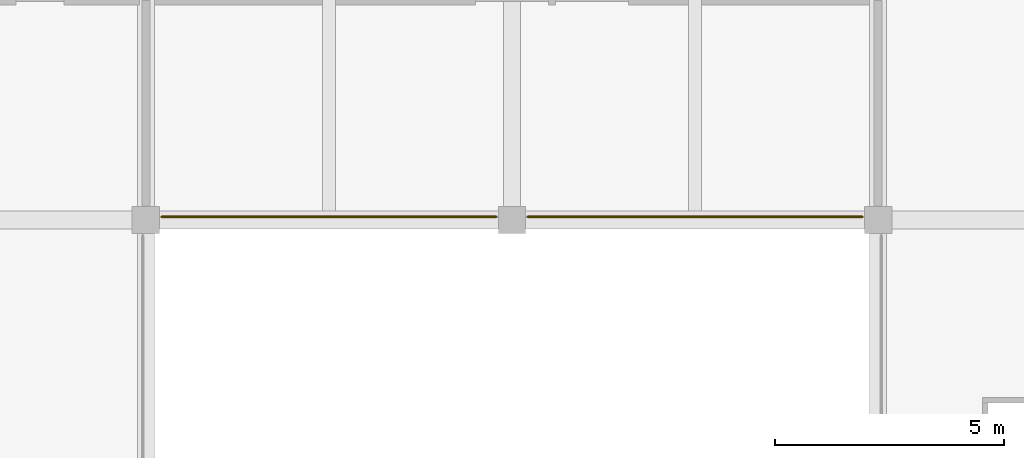
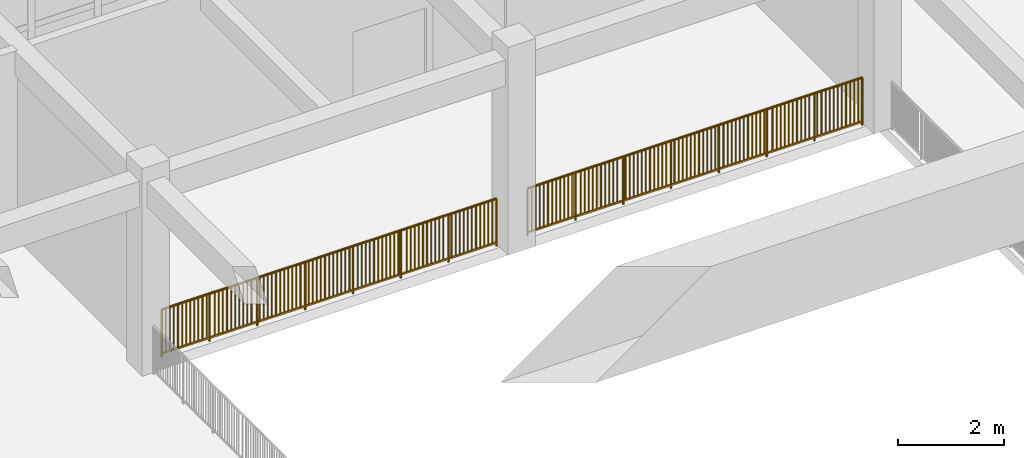
# One storey, part 101 of 101: 2 railings.
"""IFC4 building model written with IfcOpenShell, lengths in metres."""

from ifc_helpers import new_model, si_unit, direction, frame, origin, origin_2d, place, context, subcontext, project, spatial, rectangle, circle, extrude, material, type_object, element, save


model = new_model("IFC4")

# Units and contexts
model_context = context("Model", 3, precision=1e-05, world=origin(), true_north=direction((0.0, 1.0)))
body_context = subcontext(model_context, "Body", "Model", "MODEL_VIEW")
ifc_project = project(units=[si_unit("LENGTHUNIT", "METRE"), si_unit("AREAUNIT", "SQUARE_METRE"), si_unit("VOLUMEUNIT", "CUBIC_METRE"), si_unit("PLANEANGLEUNIT", "RADIAN"), si_unit("MASSUNIT", "GRAM", prefix="KILO")], contexts=[model_context])

# Site, building, storey
site_placement = place(None, origin())
site = spatial("IfcSite", under=ifc_project, at=site_placement, CompositionType="ELEMENT")
building_placement = place(site_placement, origin())
building = spatial("IfcBuilding", under=site, at=building_placement, Name="Zantavel Square City Hall", CompositionType="ELEMENT")
storey_placement = place(building_placement, frame((0.0, 0.0, 5.39990234375)))
storey = spatial("IfcBuildingStorey", under=building, at=storey_placement, Name="L02", CompositionType="ELEMENT", Elevation=5.39990234375)

# Railings
ifc_material = material(Name="Steel ASTM A500 Grade B", Category="steel")
railing_type = type_object("IfcRailingType", Name="Atrium & Gallery Steel Guard Railing 1100mm", PredefinedType="GUARDRAIL", material=ifc_material)
railing_1_placement = place(storey_placement, frame((135.659912109375, 30.469970703125, 0.0)))
element("IfcRailing", 1, at=railing_1_placement, inside=storey, type_object=railing_type, Name="L02 Atrium Void Guard 022", PredefinedType="GUARDRAIL", context=body_context, shape_type="SweptSolid", body=[
    extrude(circle(Radius=0.02392578125, at=origin_2d()), frame((0.0, 0.0, 1.09619140625), z_axis=(-1.0, 0.0, 0.0), x_axis=(0.0, -1.0, 0.0)), (0.0, 0.0, 1.0), 7.31982421875),
    extrude(rectangle(XDim=0.031982421875, YDim=0.031982421875, at=origin_2d()), frame((0.0, 0.0, 0.080078125), z_axis=(-1.0, 0.0, 0.0), x_axis=(0.0, -1.0, 0.0)), (0.0, 0.0, 1.0), 7.31982421875),
    extrude(rectangle(XDim=0.02197265625, YDim=0.02197265625, at=origin_2d()), frame((-0.08935546875, 0.0, 0.080078125)), (0.0, 0.0, 1.0), 0.991943359375),
    extrude(rectangle(XDim=0.02197265625, YDim=0.02197265625, at=origin_2d()), frame((-0.178466796875, 0.0, 0.080078125)), (0.0, 0.0, 1.0), 0.991943359375),
    extrude(rectangle(XDim=0.02197265625, YDim=0.02197265625, at=origin_2d()), frame((-0.267822265625, 0.0, 0.080078125)), (0.0, 0.0, 1.0), 0.991943359375),
    extrude(rectangle(XDim=0.02197265625, YDim=0.02197265625, at=origin_2d()), frame((-0.357177734375, 0.0, 0.080078125)), (0.0, 0.0, 1.0), 0.991943359375),
    extrude(rectangle(XDim=0.02197265625, YDim=0.02197265625, at=origin_2d()), frame((-0.4462890625, 0.0, 0.080078125)), (0.0, 0.0, 1.0), 0.991943359375),
    extrude(rectangle(XDim=0.02197265625, YDim=0.02197265625, at=origin_2d()), frame((-0.53564453125, 0.0, 0.080078125)), (0.0, 0.0, 1.0), 0.991943359375),
    extrude(rectangle(XDim=0.02197265625, YDim=0.02197265625, at=origin_2d()), frame((-0.624755859375, 0.0, 0.080078125)), (0.0, 0.0, 1.0), 0.991943359375),
    extrude(rectangle(XDim=0.02197265625, YDim=0.02197265625, at=origin_2d()), frame((-0.714111328125, 0.0, 0.080078125)), (0.0, 0.0, 1.0), 0.991943359375),
    extrude(rectangle(XDim=0.02197265625, YDim=0.02197265625, at=origin_2d()), frame((-0.803466796875, 0.0, 0.080078125)), (0.0, 0.0, 1.0), 0.991943359375),
    extrude(rectangle(XDim=0.02197265625, YDim=0.02197265625, at=origin_2d()), frame((-0.892578125, 0.0, 0.080078125)), (0.0, 0.0, 1.0), 0.991943359375),
    extrude(rectangle(XDim=0.02197265625, YDim=0.02197265625, at=origin_2d()), frame((-0.98193359375, 0.0, 0.080078125)), (0.0, 0.0, 1.0), 0.991943359375),
    extrude(rectangle(XDim=0.02197265625, YDim=0.02197265625, at=origin_2d()), frame((-1.160400390625, 0.0, 0.080078125)), (0.0, 0.0, 1.0), 0.991943359375),
    extrude(rectangle(XDim=0.02197265625, YDim=0.02197265625, at=origin_2d()), frame((-1.249755859375, 0.0, 0.080078125)), (0.0, 0.0, 1.0), 0.991943359375),
    extrude(rectangle(XDim=0.02197265625, YDim=0.02197265625, at=origin_2d()), frame((-1.339111328125, 0.0, 0.080078125)), (0.0, 0.0, 1.0), 0.991943359375),
    extrude(rectangle(XDim=0.02197265625, YDim=0.02197265625, at=origin_2d()), frame((-1.42822265625, 0.0, 0.080078125)), (0.0, 0.0, 1.0), 0.991943359375),
    extrude(rectangle(XDim=0.02197265625, YDim=0.02197265625, at=origin_2d()), frame((-1.517578125, 0.0, 0.080078125)), (0.0, 0.0, 1.0), 0.991943359375),
    extrude(rectangle(XDim=0.02197265625, YDim=0.02197265625, at=origin_2d()), frame((-1.606689453125, 0.0, 0.080078125)), (0.0, 0.0, 1.0), 0.991943359375),
    extrude(rectangle(XDim=0.02197265625, YDim=0.02197265625, at=origin_2d()), frame((-1.696044921875, 0.0, 0.080078125)), (0.0, 0.0, 1.0), 0.991943359375),
    extrude(rectangle(XDim=0.02197265625, YDim=0.02197265625, at=origin_2d()), frame((-1.785400390625, 0.0, 0.080078125)), (0.0, 0.0, 1.0), 0.991943359375),
    extrude(rectangle(XDim=0.02197265625, YDim=0.02197265625, at=origin_2d()), frame((-1.87451171875, 0.0, 0.080078125)), (0.0, 0.0, 1.0), 0.991943359375),
    extrude(rectangle(XDim=0.02197265625, YDim=0.02197265625, at=origin_2d()), frame((-1.9638671875, 0.0, 0.080078125)), (0.0, 0.0, 1.0), 0.991943359375),
    extrude(rectangle(XDim=0.02197265625, YDim=0.02197265625, at=origin_2d()), frame((-2.142333984375, 0.0, 0.080078125)), (0.0, 0.0, 1.0), 0.991943359375),
    extrude(rectangle(XDim=0.02197265625, YDim=0.02197265625, at=origin_2d()), frame((-2.231689453125, 0.0, 0.080078125)), (0.0, 0.0, 1.0), 0.991943359375),
    extrude(rectangle(XDim=0.02197265625, YDim=0.02197265625, at=origin_2d()), frame((-2.32080078125, 0.0, 0.080078125)), (0.0, 0.0, 1.0), 0.991943359375),
    extrude(rectangle(XDim=0.02197265625, YDim=0.02197265625, at=origin_2d()), frame((-2.41015625, 0.0, 0.080078125)), (0.0, 0.0, 1.0), 0.991943359375),
    extrude(rectangle(XDim=0.02197265625, YDim=0.02197265625, at=origin_2d()), frame((-2.49951171875, 0.0, 0.080078125)), (0.0, 0.0, 1.0), 0.991943359375),
    extrude(rectangle(XDim=0.02197265625, YDim=0.02197265625, at=origin_2d()), frame((-2.588623046875, 0.0, 0.080078125)), (0.0, 0.0, 1.0), 0.991943359375),
    extrude(rectangle(XDim=0.02197265625, YDim=0.02197265625, at=origin_2d()), frame((-2.677978515625, 0.0, 0.080078125)), (0.0, 0.0, 1.0), 0.991943359375),
    extrude(rectangle(XDim=0.02197265625, YDim=0.02197265625, at=origin_2d()), frame((-2.767333984375, 0.0, 0.080078125)), (0.0, 0.0, 1.0), 0.991943359375),
    extrude(rectangle(XDim=0.02197265625, YDim=0.02197265625, at=origin_2d()), frame((-2.8564453125, 0.0, 0.080078125)), (0.0, 0.0, 1.0), 0.991943359375),
    extrude(rectangle(XDim=0.02197265625, YDim=0.02197265625, at=origin_2d()), frame((-2.94580078125, 0.0, 0.080078125)), (0.0, 0.0, 1.0), 0.991943359375),
    extrude(rectangle(XDim=0.02197265625, YDim=0.02197265625, at=origin_2d()), frame((-3.03515625, 0.0, 0.080078125)), (0.0, 0.0, 1.0), 0.991943359375),
    extrude(rectangle(XDim=0.02197265625, YDim=0.02197265625, at=origin_2d()), frame((-3.213623046875, 0.0, 0.080078125)), (0.0, 0.0, 1.0), 0.991943359375),
    extrude(rectangle(XDim=0.02197265625, YDim=0.02197265625, at=origin_2d()), frame((-3.302734375, 0.0, 0.080078125)), (0.0, 0.0, 1.0), 0.991943359375),
    extrude(rectangle(XDim=0.02197265625, YDim=0.02197265625, at=origin_2d()), frame((-3.39208984375, 0.0, 0.080078125)), (0.0, 0.0, 1.0), 0.991943359375),
    extrude(rectangle(XDim=0.02197265625, YDim=0.02197265625, at=origin_2d()), frame((-3.4814453125, 0.0, 0.080078125)), (0.0, 0.0, 1.0), 0.991943359375),
    extrude(rectangle(XDim=0.02197265625, YDim=0.02197265625, at=origin_2d()), frame((-3.570556640625, 0.0, 0.080078125)), (0.0, 0.0, 1.0), 0.991943359375),
    extrude(rectangle(XDim=0.02197265625, YDim=0.02197265625, at=origin_2d()), frame((-3.659912109375, 0.0, 0.080078125)), (0.0, 0.0, 1.0), 0.991943359375),
    extrude(rectangle(XDim=0.02197265625, YDim=0.02197265625, at=origin_2d()), frame((-3.749267578125, 0.0, 0.080078125)), (0.0, 0.0, 1.0), 0.991943359375),
    extrude(rectangle(XDim=0.02197265625, YDim=0.02197265625, at=origin_2d()), frame((-3.83837890625, 0.0, 0.080078125)), (0.0, 0.0, 1.0), 0.991943359375),
    extrude(rectangle(XDim=0.02197265625, YDim=0.02197265625, at=origin_2d()), frame((-3.927734375, 0.0, 0.080078125)), (0.0, 0.0, 1.0), 0.991943359375),
    extrude(rectangle(XDim=0.02197265625, YDim=0.02197265625, at=origin_2d()), frame((-4.01708984375, 0.0, 0.080078125)), (0.0, 0.0, 1.0), 0.991943359375),
    extrude(rectangle(XDim=0.02197265625, YDim=0.02197265625, at=origin_2d()), frame((-4.106201171875, 0.0, 0.080078125)), (0.0, 0.0, 1.0), 0.991943359375),
    extrude(rectangle(XDim=0.02197265625, YDim=0.02197265625, at=origin_2d()), frame((-4.28466796875, 0.0, 0.080078125)), (0.0, 0.0, 1.0), 0.991943359375),
    extrude(rectangle(XDim=0.02197265625, YDim=0.02197265625, at=origin_2d()), frame((-4.3740234375, 0.0, 0.080078125)), (0.0, 0.0, 1.0), 0.991943359375),
    extrude(rectangle(XDim=0.02197265625, YDim=0.02197265625, at=origin_2d()), frame((-4.46337890625, 0.0, 0.080078125)), (0.0, 0.0, 1.0), 0.991943359375),
    extrude(rectangle(XDim=0.02197265625, YDim=0.02197265625, at=origin_2d()), frame((-4.552490234375, 0.0, 0.080078125)), (0.0, 0.0, 1.0), 0.991943359375),
    extrude(rectangle(XDim=0.02197265625, YDim=0.02197265625, at=origin_2d()), frame((-4.641845703125, 0.0, 0.080078125)), (0.0, 0.0, 1.0), 0.991943359375),
    extrude(rectangle(XDim=0.02197265625, YDim=0.02197265625, at=origin_2d()), frame((-4.731201171875, 0.0, 0.080078125)), (0.0, 0.0, 1.0), 0.991943359375),
    extrude(rectangle(XDim=0.02197265625, YDim=0.02197265625, at=origin_2d()), frame((-4.8203125, 0.0, 0.080078125)), (0.0, 0.0, 1.0), 0.991943359375),
    extrude(rectangle(XDim=0.02197265625, YDim=0.02197265625, at=origin_2d()), frame((-4.90966796875, 0.0, 0.080078125)), (0.0, 0.0, 1.0), 0.991943359375),
    extrude(rectangle(XDim=0.02197265625, YDim=0.02197265625, at=origin_2d()), frame((-4.9990234375, 0.0, 0.080078125)), (0.0, 0.0, 1.0), 0.991943359375),
    extrude(rectangle(XDim=0.02197265625, YDim=0.02197265625, at=origin_2d()), frame((-5.088134765625, 0.0, 0.080078125)), (0.0, 0.0, 1.0), 0.991943359375),
    extrude(rectangle(XDim=0.02197265625, YDim=0.02197265625, at=origin_2d()), frame((-5.177490234375, 0.0, 0.080078125)), (0.0, 0.0, 1.0), 0.991943359375),
    extrude(rectangle(XDim=0.02197265625, YDim=0.02197265625, at=origin_2d()), frame((-5.35595703125, 0.0, 0.080078125)), (0.0, 0.0, 1.0), 0.991943359375),
    extrude(rectangle(XDim=0.02197265625, YDim=0.02197265625, at=origin_2d()), frame((-5.4453125, 0.0, 0.080078125)), (0.0, 0.0, 1.0), 0.991943359375),
    extrude(rectangle(XDim=0.02197265625, YDim=0.02197265625, at=origin_2d()), frame((-5.534423828125, 0.0, 0.080078125)), (0.0, 0.0, 1.0), 0.991943359375),
    extrude(rectangle(XDim=0.02197265625, YDim=0.02197265625, at=origin_2d()), frame((-5.623779296875, 0.0, 0.080078125)), (0.0, 0.0, 1.0), 0.991943359375),
    extrude(rectangle(XDim=0.02197265625, YDim=0.02197265625, at=origin_2d()), frame((-5.713134765625, 0.0, 0.080078125)), (0.0, 0.0, 1.0), 0.991943359375),
    extrude(rectangle(XDim=0.02197265625, YDim=0.02197265625, at=origin_2d()), frame((-5.80224609375, 0.0, 0.080078125)), (0.0, 0.0, 1.0), 0.991943359375),
    extrude(rectangle(XDim=0.02197265625, YDim=0.02197265625, at=origin_2d()), frame((-5.8916015625, 0.0, 0.080078125)), (0.0, 0.0, 1.0), 0.991943359375),
    extrude(rectangle(XDim=0.02197265625, YDim=0.02197265625, at=origin_2d()), frame((-5.980712890625, 0.0, 0.080078125)), (0.0, 0.0, 1.0), 0.991943359375),
    extrude(rectangle(XDim=0.02197265625, YDim=0.02197265625, at=origin_2d()), frame((-6.070068359375, 0.0, 0.080078125)), (0.0, 0.0, 1.0), 0.991943359375),
    extrude(rectangle(XDim=0.02197265625, YDim=0.02197265625, at=origin_2d()), frame((-6.159423828125, 0.0, 0.080078125)), (0.0, 0.0, 1.0), 0.991943359375),
    extrude(rectangle(XDim=0.02197265625, YDim=0.02197265625, at=origin_2d()), frame((-6.337890625, 0.0, 0.080078125)), (0.0, 0.0, 1.0), 0.991943359375),
    extrude(rectangle(XDim=0.02197265625, YDim=0.02197265625, at=origin_2d()), frame((-6.42724609375, 0.0, 0.080078125)), (0.0, 0.0, 1.0), 0.991943359375),
    extrude(rectangle(XDim=0.02197265625, YDim=0.02197265625, at=origin_2d()), frame((-6.516357421875, 0.0, 0.080078125)), (0.0, 0.0, 1.0), 0.991943359375),
    extrude(rectangle(XDim=0.02197265625, YDim=0.02197265625, at=origin_2d()), frame((-6.605712890625, 0.0, 0.080078125)), (0.0, 0.0, 1.0), 0.991943359375),
    extrude(rectangle(XDim=0.02197265625, YDim=0.02197265625, at=origin_2d()), frame((-6.695068359375, 0.0, 0.080078125)), (0.0, 0.0, 1.0), 0.991943359375),
    extrude(rectangle(XDim=0.02197265625, YDim=0.02197265625, at=origin_2d()), frame((-6.7841796875, 0.0, 0.080078125)), (0.0, 0.0, 1.0), 0.991943359375),
    extrude(rectangle(XDim=0.02197265625, YDim=0.02197265625, at=origin_2d()), frame((-6.87353515625, 0.0, 0.080078125)), (0.0, 0.0, 1.0), 0.991943359375),
    extrude(rectangle(XDim=0.02197265625, YDim=0.02197265625, at=origin_2d()), frame((-6.962646484375, 0.0, 0.080078125)), (0.0, 0.0, 1.0), 0.991943359375),
    extrude(rectangle(XDim=0.02197265625, YDim=0.02197265625, at=origin_2d()), frame((-7.052001953125, 0.0, 0.080078125)), (0.0, 0.0, 1.0), 0.991943359375),
    extrude(rectangle(XDim=0.02197265625, YDim=0.02197265625, at=origin_2d()), frame((-7.141357421875, 0.0, 0.080078125)), (0.0, 0.0, 1.0), 0.991943359375),
    extrude(rectangle(XDim=0.02197265625, YDim=0.02197265625, at=origin_2d()), frame((-7.23046875, 0.0, 0.080078125)), (0.0, 0.0, 1.0), 0.991943359375),
    extrude(circle(Radius=0.02099609375, at=origin_2d()), origin(), (0.0, 0.0, 1.0), 1.072021484375),
    extrude(circle(Radius=0.02099609375, at=origin_2d()), frame((-1.045654296875, 0.0, 0.0)), (0.0, 0.0, 1.0), 1.072021484375),
    extrude(circle(Radius=0.02099609375, at=origin_2d()), frame((-2.09130859375, 0.0, 0.0)), (0.0, 0.0, 1.0), 1.072021484375),
    extrude(circle(Radius=0.02099609375, at=origin_2d()), frame((-3.136962890625, 0.0, 0.0)), (0.0, 0.0, 1.0), 1.072021484375),
    extrude(circle(Radius=0.02099609375, at=origin_2d()), frame((-4.182861328125, 0.0, 0.0)), (0.0, 0.0, 1.0), 1.072021484375),
    extrude(circle(Radius=0.02099609375, at=origin_2d()), frame((-5.228515625, 0.0, 0.0)), (0.0, 0.0, 1.0), 1.072021484375),
    extrude(circle(Radius=0.02099609375, at=origin_2d()), frame((-6.274169921875, 0.0, 0.0)), (0.0, 0.0, 1.0), 1.072021484375),
    extrude(circle(Radius=0.02099609375, at=origin_2d()), frame((-7.31982421875, 0.0, 0.0)), (0.0, 0.0, 1.0), 1.072021484375),
])
railing_2_placement = place(storey_placement, frame((143.659912109375, 30.469970703125, 0.0)))
element("IfcRailing", 2, at=railing_2_placement, inside=storey, type_object=railing_type, Name="L02 Atrium Void Guard 024", PredefinedType="GUARDRAIL", context=body_context, shape_type="SweptSolid", body=[
    extrude(circle(Radius=0.02392578125, at=origin_2d()), frame((0.0, 0.0, 1.09619140625), z_axis=(-1.0, 0.0, 0.0), x_axis=(0.0, -1.0, 0.0)), (0.0, 0.0, 1.0), 7.31982421875),
    extrude(rectangle(XDim=0.031982421875, YDim=0.031982421875, at=origin_2d()), frame((0.0, 0.0, 0.080078125), z_axis=(-1.0, 0.0, 0.0), x_axis=(0.0, -1.0, 0.0)), (0.0, 0.0, 1.0), 7.31982421875),
    extrude(rectangle(XDim=0.02197265625, YDim=0.02197265625, at=origin_2d()), frame((-0.08935546875, 0.0, 0.080078125)), (0.0, 0.0, 1.0), 0.991943359375),
    extrude(rectangle(XDim=0.02197265625, YDim=0.02197265625, at=origin_2d()), frame((-0.178466796875, 0.0, 0.080078125)), (0.0, 0.0, 1.0), 0.991943359375),
    extrude(rectangle(XDim=0.02197265625, YDim=0.02197265625, at=origin_2d()), frame((-0.267822265625, 0.0, 0.080078125)), (0.0, 0.0, 1.0), 0.991943359375),
    extrude(rectangle(XDim=0.02197265625, YDim=0.02197265625, at=origin_2d()), frame((-0.357177734375, 0.0, 0.080078125)), (0.0, 0.0, 1.0), 0.991943359375),
    extrude(rectangle(XDim=0.02197265625, YDim=0.02197265625, at=origin_2d()), frame((-0.4462890625, 0.0, 0.080078125)), (0.0, 0.0, 1.0), 0.991943359375),
    extrude(rectangle(XDim=0.02197265625, YDim=0.02197265625, at=origin_2d()), frame((-0.53564453125, 0.0, 0.080078125)), (0.0, 0.0, 1.0), 0.991943359375),
    extrude(rectangle(XDim=0.02197265625, YDim=0.02197265625, at=origin_2d()), frame((-0.624755859375, 0.0, 0.080078125)), (0.0, 0.0, 1.0), 0.991943359375),
    extrude(rectangle(XDim=0.02197265625, YDim=0.02197265625, at=origin_2d()), frame((-0.714111328125, 0.0, 0.080078125)), (0.0, 0.0, 1.0), 0.991943359375),
    extrude(rectangle(XDim=0.02197265625, YDim=0.02197265625, at=origin_2d()), frame((-0.803466796875, 0.0, 0.080078125)), (0.0, 0.0, 1.0), 0.991943359375),
    extrude(rectangle(XDim=0.02197265625, YDim=0.02197265625, at=origin_2d()), frame((-0.892578125, 0.0, 0.080078125)), (0.0, 0.0, 1.0), 0.991943359375),
    extrude(rectangle(XDim=0.02197265625, YDim=0.02197265625, at=origin_2d()), frame((-0.98193359375, 0.0, 0.080078125)), (0.0, 0.0, 1.0), 0.991943359375),
    extrude(rectangle(XDim=0.02197265625, YDim=0.02197265625, at=origin_2d()), frame((-1.160400390625, 0.0, 0.080078125)), (0.0, 0.0, 1.0), 0.991943359375),
    extrude(rectangle(XDim=0.02197265625, YDim=0.02197265625, at=origin_2d()), frame((-1.249755859375, 0.0, 0.080078125)), (0.0, 0.0, 1.0), 0.991943359375),
    extrude(rectangle(XDim=0.02197265625, YDim=0.02197265625, at=origin_2d()), frame((-1.339111328125, 0.0, 0.080078125)), (0.0, 0.0, 1.0), 0.991943359375),
    extrude(rectangle(XDim=0.02197265625, YDim=0.02197265625, at=origin_2d()), frame((-1.42822265625, 0.0, 0.080078125)), (0.0, 0.0, 1.0), 0.991943359375),
    extrude(rectangle(XDim=0.02197265625, YDim=0.02197265625, at=origin_2d()), frame((-1.517578125, 0.0, 0.080078125)), (0.0, 0.0, 1.0), 0.991943359375),
    extrude(rectangle(XDim=0.02197265625, YDim=0.02197265625, at=origin_2d()), frame((-1.606689453125, 0.0, 0.080078125)), (0.0, 0.0, 1.0), 0.991943359375),
    extrude(rectangle(XDim=0.02197265625, YDim=0.02197265625, at=origin_2d()), frame((-1.696044921875, 0.0, 0.080078125)), (0.0, 0.0, 1.0), 0.991943359375),
    extrude(rectangle(XDim=0.02197265625, YDim=0.02197265625, at=origin_2d()), frame((-1.785400390625, 0.0, 0.080078125)), (0.0, 0.0, 1.0), 0.991943359375),
    extrude(rectangle(XDim=0.02197265625, YDim=0.02197265625, at=origin_2d()), frame((-1.87451171875, 0.0, 0.080078125)), (0.0, 0.0, 1.0), 0.991943359375),
    extrude(rectangle(XDim=0.02197265625, YDim=0.02197265625, at=origin_2d()), frame((-1.9638671875, 0.0, 0.080078125)), (0.0, 0.0, 1.0), 0.991943359375),
    extrude(rectangle(XDim=0.02197265625, YDim=0.02197265625, at=origin_2d()), frame((-2.142333984375, 0.0, 0.080078125)), (0.0, 0.0, 1.0), 0.991943359375),
    extrude(rectangle(XDim=0.02197265625, YDim=0.02197265625, at=origin_2d()), frame((-2.231689453125, 0.0, 0.080078125)), (0.0, 0.0, 1.0), 0.991943359375),
    extrude(rectangle(XDim=0.02197265625, YDim=0.02197265625, at=origin_2d()), frame((-2.32080078125, 0.0, 0.080078125)), (0.0, 0.0, 1.0), 0.991943359375),
    extrude(rectangle(XDim=0.02197265625, YDim=0.02197265625, at=origin_2d()), frame((-2.41015625, 0.0, 0.080078125)), (0.0, 0.0, 1.0), 0.991943359375),
    extrude(rectangle(XDim=0.02197265625, YDim=0.02197265625, at=origin_2d()), frame((-2.49951171875, 0.0, 0.080078125)), (0.0, 0.0, 1.0), 0.991943359375),
    extrude(rectangle(XDim=0.02197265625, YDim=0.02197265625, at=origin_2d()), frame((-2.588623046875, 0.0, 0.080078125)), (0.0, 0.0, 1.0), 0.991943359375),
    extrude(rectangle(XDim=0.02197265625, YDim=0.02197265625, at=origin_2d()), frame((-2.677978515625, 0.0, 0.080078125)), (0.0, 0.0, 1.0), 0.991943359375),
    extrude(rectangle(XDim=0.02197265625, YDim=0.02197265625, at=origin_2d()), frame((-2.767333984375, 0.0, 0.080078125)), (0.0, 0.0, 1.0), 0.991943359375),
    extrude(rectangle(XDim=0.02197265625, YDim=0.02197265625, at=origin_2d()), frame((-2.8564453125, 0.0, 0.080078125)), (0.0, 0.0, 1.0), 0.991943359375),
    extrude(rectangle(XDim=0.02197265625, YDim=0.02197265625, at=origin_2d()), frame((-2.94580078125, 0.0, 0.080078125)), (0.0, 0.0, 1.0), 0.991943359375),
    extrude(rectangle(XDim=0.02197265625, YDim=0.02197265625, at=origin_2d()), frame((-3.03515625, 0.0, 0.080078125)), (0.0, 0.0, 1.0), 0.991943359375),
    extrude(rectangle(XDim=0.02197265625, YDim=0.02197265625, at=origin_2d()), frame((-3.213623046875, 0.0, 0.080078125)), (0.0, 0.0, 1.0), 0.991943359375),
    extrude(rectangle(XDim=0.02197265625, YDim=0.02197265625, at=origin_2d()), frame((-3.302734375, 0.0, 0.080078125)), (0.0, 0.0, 1.0), 0.991943359375),
    extrude(rectangle(XDim=0.02197265625, YDim=0.02197265625, at=origin_2d()), frame((-3.39208984375, 0.0, 0.080078125)), (0.0, 0.0, 1.0), 0.991943359375),
    extrude(rectangle(XDim=0.02197265625, YDim=0.02197265625, at=origin_2d()), frame((-3.4814453125, 0.0, 0.080078125)), (0.0, 0.0, 1.0), 0.991943359375),
    extrude(rectangle(XDim=0.02197265625, YDim=0.02197265625, at=origin_2d()), frame((-3.570556640625, 0.0, 0.080078125)), (0.0, 0.0, 1.0), 0.991943359375),
    extrude(rectangle(XDim=0.02197265625, YDim=0.02197265625, at=origin_2d()), frame((-3.659912109375, 0.0, 0.080078125)), (0.0, 0.0, 1.0), 0.991943359375),
    extrude(rectangle(XDim=0.02197265625, YDim=0.02197265625, at=origin_2d()), frame((-3.749267578125, 0.0, 0.080078125)), (0.0, 0.0, 1.0), 0.991943359375),
    extrude(rectangle(XDim=0.02197265625, YDim=0.02197265625, at=origin_2d()), frame((-3.83837890625, 0.0, 0.080078125)), (0.0, 0.0, 1.0), 0.991943359375),
    extrude(rectangle(XDim=0.02197265625, YDim=0.02197265625, at=origin_2d()), frame((-3.927734375, 0.0, 0.080078125)), (0.0, 0.0, 1.0), 0.991943359375),
    extrude(rectangle(XDim=0.02197265625, YDim=0.02197265625, at=origin_2d()), frame((-4.01708984375, 0.0, 0.080078125)), (0.0, 0.0, 1.0), 0.991943359375),
    extrude(rectangle(XDim=0.02197265625, YDim=0.02197265625, at=origin_2d()), frame((-4.106201171875, 0.0, 0.080078125)), (0.0, 0.0, 1.0), 0.991943359375),
    extrude(rectangle(XDim=0.02197265625, YDim=0.02197265625, at=origin_2d()), frame((-4.28466796875, 0.0, 0.080078125)), (0.0, 0.0, 1.0), 0.991943359375),
    extrude(rectangle(XDim=0.02197265625, YDim=0.02197265625, at=origin_2d()), frame((-4.3740234375, 0.0, 0.080078125)), (0.0, 0.0, 1.0), 0.991943359375),
    extrude(rectangle(XDim=0.02197265625, YDim=0.02197265625, at=origin_2d()), frame((-4.46337890625, 0.0, 0.080078125)), (0.0, 0.0, 1.0), 0.991943359375),
    extrude(rectangle(XDim=0.02197265625, YDim=0.02197265625, at=origin_2d()), frame((-4.552490234375, 0.0, 0.080078125)), (0.0, 0.0, 1.0), 0.991943359375),
    extrude(rectangle(XDim=0.02197265625, YDim=0.02197265625, at=origin_2d()), frame((-4.641845703125, 0.0, 0.080078125)), (0.0, 0.0, 1.0), 0.991943359375),
    extrude(rectangle(XDim=0.02197265625, YDim=0.02197265625, at=origin_2d()), frame((-4.731201171875, 0.0, 0.080078125)), (0.0, 0.0, 1.0), 0.991943359375),
    extrude(rectangle(XDim=0.02197265625, YDim=0.02197265625, at=origin_2d()), frame((-4.8203125, 0.0, 0.080078125)), (0.0, 0.0, 1.0), 0.991943359375),
    extrude(rectangle(XDim=0.02197265625, YDim=0.02197265625, at=origin_2d()), frame((-4.90966796875, 0.0, 0.080078125)), (0.0, 0.0, 1.0), 0.991943359375),
    extrude(rectangle(XDim=0.02197265625, YDim=0.02197265625, at=origin_2d()), frame((-4.9990234375, 0.0, 0.080078125)), (0.0, 0.0, 1.0), 0.991943359375),
    extrude(rectangle(XDim=0.02197265625, YDim=0.02197265625, at=origin_2d()), frame((-5.088134765625, 0.0, 0.080078125)), (0.0, 0.0, 1.0), 0.991943359375),
    extrude(rectangle(XDim=0.02197265625, YDim=0.02197265625, at=origin_2d()), frame((-5.177490234375, 0.0, 0.080078125)), (0.0, 0.0, 1.0), 0.991943359375),
    extrude(rectangle(XDim=0.02197265625, YDim=0.02197265625, at=origin_2d()), frame((-5.35595703125, 0.0, 0.080078125)), (0.0, 0.0, 1.0), 0.991943359375),
    extrude(rectangle(XDim=0.02197265625, YDim=0.02197265625, at=origin_2d()), frame((-5.4453125, 0.0, 0.080078125)), (0.0, 0.0, 1.0), 0.991943359375),
    extrude(rectangle(XDim=0.02197265625, YDim=0.02197265625, at=origin_2d()), frame((-5.534423828125, 0.0, 0.080078125)), (0.0, 0.0, 1.0), 0.991943359375),
    extrude(rectangle(XDim=0.02197265625, YDim=0.02197265625, at=origin_2d()), frame((-5.623779296875, 0.0, 0.080078125)), (0.0, 0.0, 1.0), 0.991943359375),
    extrude(rectangle(XDim=0.02197265625, YDim=0.02197265625, at=origin_2d()), frame((-5.713134765625, 0.0, 0.080078125)), (0.0, 0.0, 1.0), 0.991943359375),
    extrude(rectangle(XDim=0.02197265625, YDim=0.02197265625, at=origin_2d()), frame((-5.80224609375, 0.0, 0.080078125)), (0.0, 0.0, 1.0), 0.991943359375),
    extrude(rectangle(XDim=0.02197265625, YDim=0.02197265625, at=origin_2d()), frame((-5.8916015625, 0.0, 0.080078125)), (0.0, 0.0, 1.0), 0.991943359375),
    extrude(rectangle(XDim=0.02197265625, YDim=0.02197265625, at=origin_2d()), frame((-5.980712890625, 0.0, 0.080078125)), (0.0, 0.0, 1.0), 0.991943359375),
    extrude(rectangle(XDim=0.02197265625, YDim=0.02197265625, at=origin_2d()), frame((-6.070068359375, 0.0, 0.080078125)), (0.0, 0.0, 1.0), 0.991943359375),
    extrude(rectangle(XDim=0.02197265625, YDim=0.02197265625, at=origin_2d()), frame((-6.159423828125, 0.0, 0.080078125)), (0.0, 0.0, 1.0), 0.991943359375),
    extrude(rectangle(XDim=0.02197265625, YDim=0.02197265625, at=origin_2d()), frame((-6.337890625, 0.0, 0.080078125)), (0.0, 0.0, 1.0), 0.991943359375),
    extrude(rectangle(XDim=0.02197265625, YDim=0.02197265625, at=origin_2d()), frame((-6.42724609375, 0.0, 0.080078125)), (0.0, 0.0, 1.0), 0.991943359375),
    extrude(rectangle(XDim=0.02197265625, YDim=0.02197265625, at=origin_2d()), frame((-6.516357421875, 0.0, 0.080078125)), (0.0, 0.0, 1.0), 0.991943359375),
    extrude(rectangle(XDim=0.02197265625, YDim=0.02197265625, at=origin_2d()), frame((-6.605712890625, 0.0, 0.080078125)), (0.0, 0.0, 1.0), 0.991943359375),
    extrude(rectangle(XDim=0.02197265625, YDim=0.02197265625, at=origin_2d()), frame((-6.695068359375, 0.0, 0.080078125)), (0.0, 0.0, 1.0), 0.991943359375),
    extrude(rectangle(XDim=0.02197265625, YDim=0.02197265625, at=origin_2d()), frame((-6.7841796875, 0.0, 0.080078125)), (0.0, 0.0, 1.0), 0.991943359375),
    extrude(rectangle(XDim=0.02197265625, YDim=0.02197265625, at=origin_2d()), frame((-6.87353515625, 0.0, 0.080078125)), (0.0, 0.0, 1.0), 0.991943359375),
    extrude(rectangle(XDim=0.02197265625, YDim=0.02197265625, at=origin_2d()), frame((-6.962646484375, 0.0, 0.080078125)), (0.0, 0.0, 1.0), 0.991943359375),
    extrude(rectangle(XDim=0.02197265625, YDim=0.02197265625, at=origin_2d()), frame((-7.052001953125, 0.0, 0.080078125)), (0.0, 0.0, 1.0), 0.991943359375),
    extrude(rectangle(XDim=0.02197265625, YDim=0.02197265625, at=origin_2d()), frame((-7.141357421875, 0.0, 0.080078125)), (0.0, 0.0, 1.0), 0.991943359375),
    extrude(rectangle(XDim=0.02197265625, YDim=0.02197265625, at=origin_2d()), frame((-7.23046875, 0.0, 0.080078125)), (0.0, 0.0, 1.0), 0.991943359375),
    extrude(circle(Radius=0.02099609375, at=origin_2d()), origin(), (0.0, 0.0, 1.0), 1.072021484375),
    extrude(circle(Radius=0.02099609375, at=origin_2d()), frame((-1.045654296875, 0.0, 0.0)), (0.0, 0.0, 1.0), 1.072021484375),
    extrude(circle(Radius=0.02099609375, at=origin_2d()), frame((-2.09130859375, 0.0, 0.0)), (0.0, 0.0, 1.0), 1.072021484375),
    extrude(circle(Radius=0.02099609375, at=origin_2d()), frame((-3.136962890625, 0.0, 0.0)), (0.0, 0.0, 1.0), 1.072021484375),
    extrude(circle(Radius=0.02099609375, at=origin_2d()), frame((-4.182861328125, 0.0, 0.0)), (0.0, 0.0, 1.0), 1.072021484375),
    extrude(circle(Radius=0.02099609375, at=origin_2d()), frame((-5.228515625, 0.0, 0.0)), (0.0, 0.0, 1.0), 1.072021484375),
    extrude(circle(Radius=0.02099609375, at=origin_2d()), frame((-6.274169921875, 0.0, 0.0)), (0.0, 0.0, 1.0), 1.072021484375),
    extrude(circle(Radius=0.02099609375, at=origin_2d()), frame((-7.31982421875, 0.0, 0.0)), (0.0, 0.0, 1.0), 1.072021484375),
])

save(model, "model.ifc")
